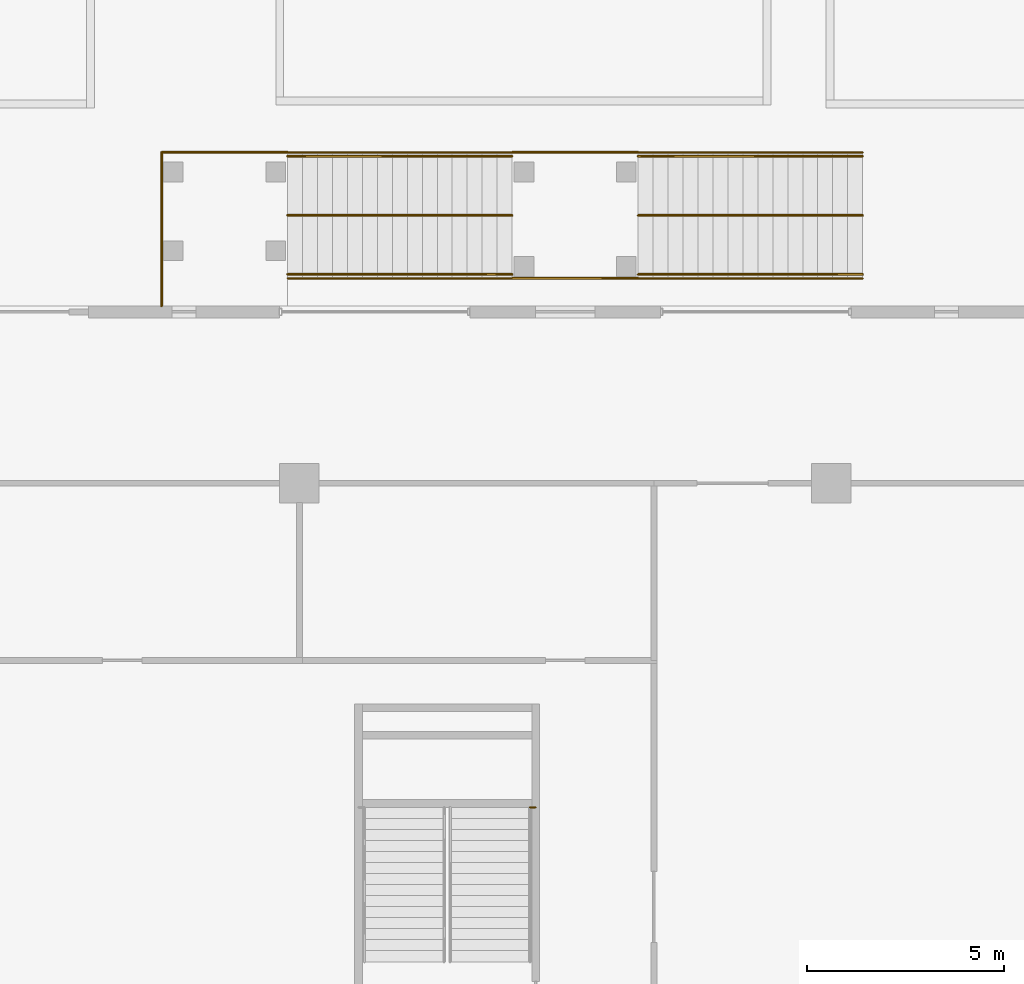
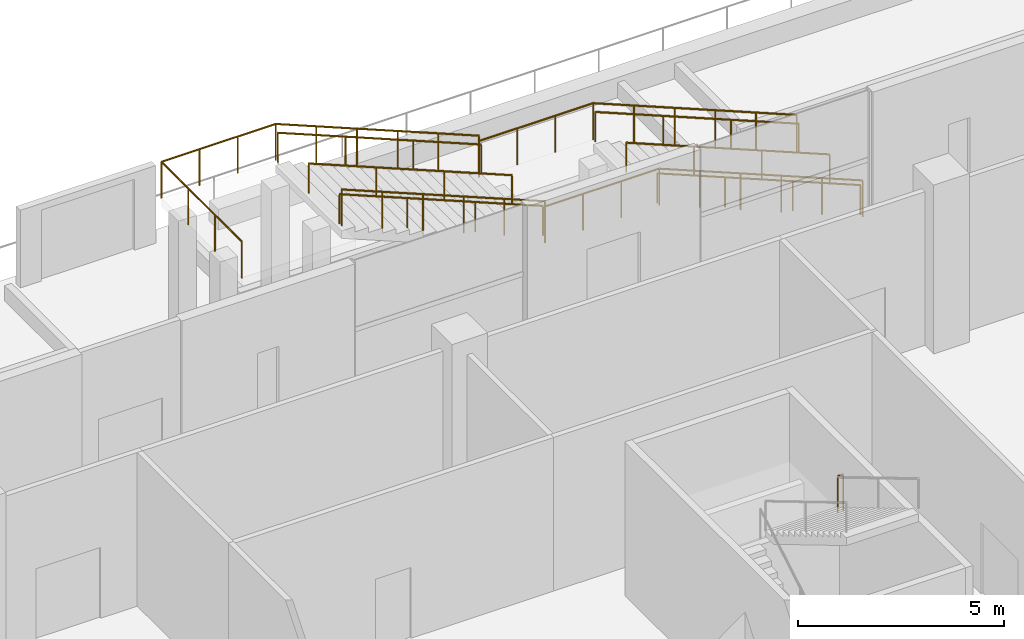
# One storey, part 48 of 49: 15 railings.
"""IFC4 building model written with IfcOpenShell, lengths in metres."""

from ifc_helpers import new_model, si_unit, direction, frame, origin, origin_2d, place, context, subcontext, project, spatial, circle, extrude, source, transform, mapped, material, type_object, element, save


model = new_model("IFC4")

# Units and contexts
model_context = context("Model", 3, precision=1e-05, world=origin(), true_north=direction((0.0, 1.0)))
body_context = subcontext(model_context, "Body", "Model", "MODEL_VIEW")
ifc_project = project(units=[si_unit("LENGTHUNIT", "METRE"), si_unit("AREAUNIT", "SQUARE_METRE"), si_unit("VOLUMEUNIT", "CUBIC_METRE"), si_unit("PLANEANGLEUNIT", "RADIAN"), si_unit("MASSUNIT", "GRAM", prefix="KILO")], contexts=[model_context])

# Site, building, storey
site_placement = place(None, origin())
site = spatial("IfcSite", under=ifc_project, at=site_placement, CompositionType="ELEMENT")
building_placement = place(site_placement, origin())
building = spatial("IfcBuilding", under=site, at=building_placement, Name="Altepetl Exchange Towers", CompositionType="ELEMENT")
storey_placement = place(building_placement, frame((0.0, 0.0, 11.5)))
storey = spatial("IfcBuildingStorey", under=building, at=storey_placement, Name="L02 Exchange podium", CompositionType="ELEMENT", Elevation=11.5)

# Railings
ifc_material_1 = material(Name="Laminated glass and steel", Category="steel")
railing_type_1 = type_object("IfcRailingType", Name="Hall gallery guard 1100", PredefinedType="GUARDRAIL", material=ifc_material_1)
shared_shape_1 = source(origin(), body_context, "Body", "SweptSolid", [
    extrude(circle(Radius=0.02001953125, at=origin_2d()), origin(), (0.0, 0.0, 1.0), 1.050048828125),
])
railing_1_placement = place(storey_placement, frame((109.35009765625, 68.27001953125, 2.5)))
element("IfcRailing", 1, at=railing_1_placement, inside=storey, type_object=railing_type_1, Name="rail:P:L02:PY1land1", PredefinedType="GUARDRAIL", context=body_context, shape_type="SweptSolid", body=[
    extrude(circle(Radius=0.02490234375, at=origin_2d()), frame((0.0, 0.0, 1.0751953125), z_axis=(1.0, 0.0, 0.0), x_axis=(0.0, 1.0, 0.0)), (0.0, 0.0, 1.0), 0.14990234375),
    mapped(shared_shape_1, transform((0.0, 0.0, 0.0))),
    mapped(shared_shape_1, transform((0.14990234375, 0.0, 0.0))),
])
for number, where, name in (
    (2, (108.89990234375, 84.89990234375, 2.65625), "rail:P:L02:R4flightA"),
    (3, (108.89990234375, 81.699951171875, 2.65625), "rail:P:L02:R4flightA_in"),
    (4, (117.800048828125, 84.89990234375, 0.15625), "rail:P:L02:R4flightB"),
    (5, (117.800048828125, 81.699951171875, 0.15625), "rail:P:L02:R4flightB_in"),
):
    element("IfcRailing", number, at=place(storey_placement, frame(where)), inside=storey, type_object=railing_type_1, Name=name, PredefinedType="GUARDRAIL", context=body_context, shape_type="SweptSolid", body=[
        extrude(circle(Radius=0.02490234375, at=origin_2d()), frame((0.0, 0.0, 1.0751953125), z_axis=(-0.924865858958, 0.0, 0.380293495781), x_axis=(0.0, -1.0, 0.0)), (0.0, 0.0, 1.0), 6.1630859375),
        mapped(shared_shape_1, transform((0.0, 0.0, 0.0))),
        mapped(shared_shape_1, transform((-1.139892578125, 0.0, 0.46875))),
        mapped(shared_shape_1, transform((-2.280029296875, 0.0, 0.9375))),
        mapped(shared_shape_1, transform((-3.419921875, 0.0, 1.40625))),
        mapped(shared_shape_1, transform((-4.56005859375, 0.0, 1.875))),
        mapped(shared_shape_1, transform((-5.699951171875, 0.0, 2.34375))),
    ])
for number, where, name in (
    (6, (108.89990234375, 84.89990234375, 2.5), "rail:P:L02:R4mid"),
    (7, (108.89990234375, 81.699951171875, 2.5), "rail:P:L02:R4mid_in"),
):
    element("IfcRailing", number, at=place(storey_placement, frame(where)), inside=storey, type_object=railing_type_1, Name=name, PredefinedType="GUARDRAIL", context=body_context, shape_type="SweptSolid", body=[
        extrude(circle(Radius=0.02490234375, at=origin_2d()), frame((0.0, 0.0, 1.0751953125), z_axis=(1.0, 0.0, 0.0), x_axis=(0.0, 1.0, 0.0)), (0.0, 0.0, 1.0), 3.2001953125),
        mapped(shared_shape_1, transform((0.0, 0.0, 0.0))),
        mapped(shared_shape_1, transform((1.066650390625, 0.0, 0.0))),
        mapped(shared_shape_1, transform((2.133544921875, 0.0, 0.0))),
        mapped(shared_shape_1, transform((3.2001953125, 0.0, 0.0))),
    ])
railing_2_placement = place(storey_placement, frame((100.0, 81.0, 5.0)))
element("IfcRailing", 8, at=railing_2_placement, inside=storey, type_object=railing_type_1, Name="rail:P:L02:R4platform_end", PredefinedType="GUARDRAIL", context=body_context, shape_type="SweptSolid", body=[
    extrude(circle(Radius=0.02490234375, at=origin_2d()), frame((0.0, 0.0, 1.0751953125), z_axis=(0.0, 1.0, 0.0), x_axis=(-1.0, 0.0, 0.0)), (0.0, 0.0, 1.0), 3.89990234375),
    mapped(shared_shape_1, transform((0.0, 0.0, 0.0))),
    mapped(shared_shape_1, transform((0.0, 1.300048828125, 0.0))),
    mapped(shared_shape_1, transform((0.0, 2.599853515625, 0.0))),
    mapped(shared_shape_1, transform((0.0, 3.89990234375, 0.0))),
])
railing_3_placement = place(storey_placement, frame((100.0, 84.89990234375, 5.0)))
element("IfcRailing", 9, at=railing_3_placement, inside=storey, type_object=railing_type_1, Name="rail:P:L02:R4platform_out", PredefinedType="GUARDRAIL", context=body_context, shape_type="SweptSolid", body=[
    extrude(circle(Radius=0.02490234375, at=origin_2d()), frame((0.0, 0.0, 1.0751953125), z_axis=(1.0, 0.0, 0.0), x_axis=(0.0, 1.0, 0.0)), (0.0, 0.0, 1.0), 3.199951171875),
    mapped(shared_shape_1, transform((0.0, 0.0, 0.0))),
    mapped(shared_shape_1, transform((1.066650390625, 0.0, 0.0))),
    mapped(shared_shape_1, transform((2.13330078125, 0.0, 0.0))),
    mapped(shared_shape_1, transform((3.199951171875, 0.0, 0.0))),
])
ifc_material_2 = material(Name="Stainless steel", Category="steel")
railing_type_2 = type_object("IfcRailingType", Name="Stair handrail 900", PredefinedType="HANDRAIL", material=ifc_material_2)
shared_shape_2 = source(origin(), body_context, "Body", "SweptSolid", [
    extrude(circle(Radius=0.02001953125, at=origin_2d()), origin(), (0.0, 0.0, 1.0), 0.849853515625),
])
for number, where, name in (
    (10, (108.89990234375, 81.800048828125, 2.65625), "rail:P:L02:R4hA_in"),
    (11, (108.89990234375, 83.300048828125, 2.65625), "rail:P:L02:R4hA_mid"),
    (12, (108.89990234375, 84.800048828125, 2.65625), "rail:P:L02:R4hA_out"),
    (13, (117.800048828125, 81.800048828125, 0.15625), "rail:P:L02:R4hB_in"),
    (14, (117.800048828125, 83.300048828125, 0.15625), "rail:P:L02:R4hB_mid"),
    (15, (117.800048828125, 84.800048828125, 0.15625), "rail:P:L02:R4hB_out"),
):
    element("IfcRailing", number, at=place(storey_placement, frame(where)), inside=storey, type_object=railing_type_2, Name=name, PredefinedType="HANDRAIL", context=body_context, shape_type="SweptSolid", body=[
        extrude(circle(Radius=0.02490234375, at=origin_2d()), frame((0.0, 0.0, 0.875), z_axis=(-0.924865858958, 0.0, 0.380293495781), x_axis=(0.0, -1.0, 0.0)), (0.0, 0.0, 1.0), 6.1630859375),
        mapped(shared_shape_2, transform((0.0, 0.0, 0.0))),
        mapped(shared_shape_2, transform((-1.89990234375, 0.0, 0.78125))),
        mapped(shared_shape_2, transform((-3.800048828125, 0.0, 1.5625))),
        mapped(shared_shape_2, transform((-5.699951171875, 0.0, 2.34375))),
    ])

save(model, "model.ifc")
